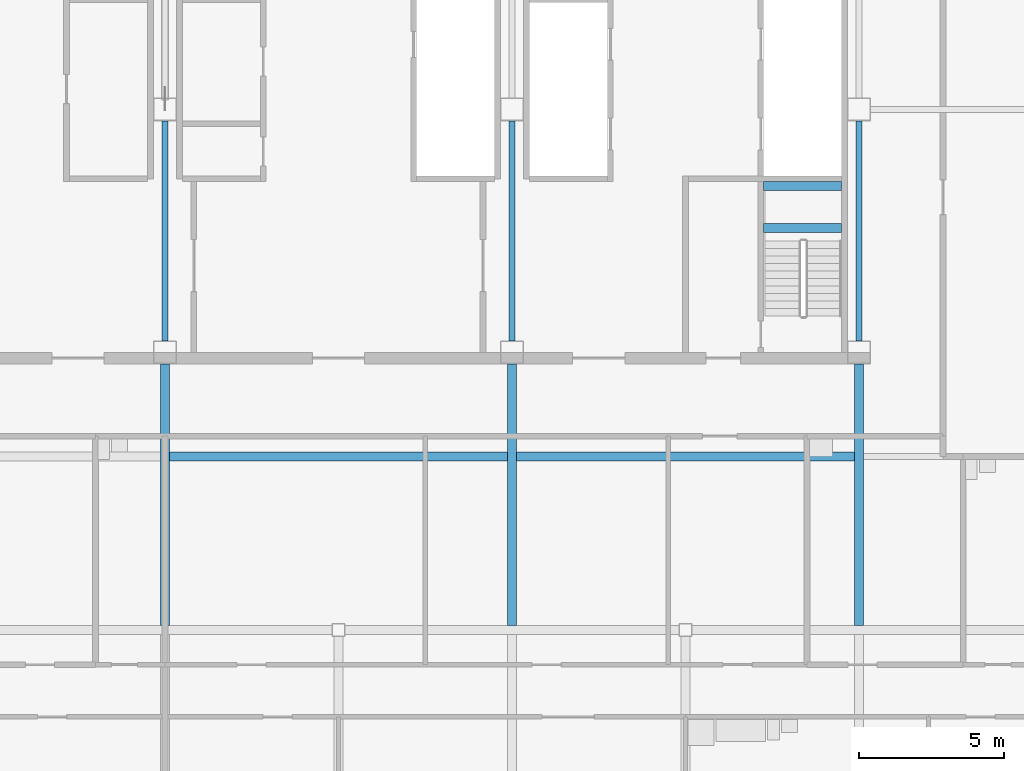
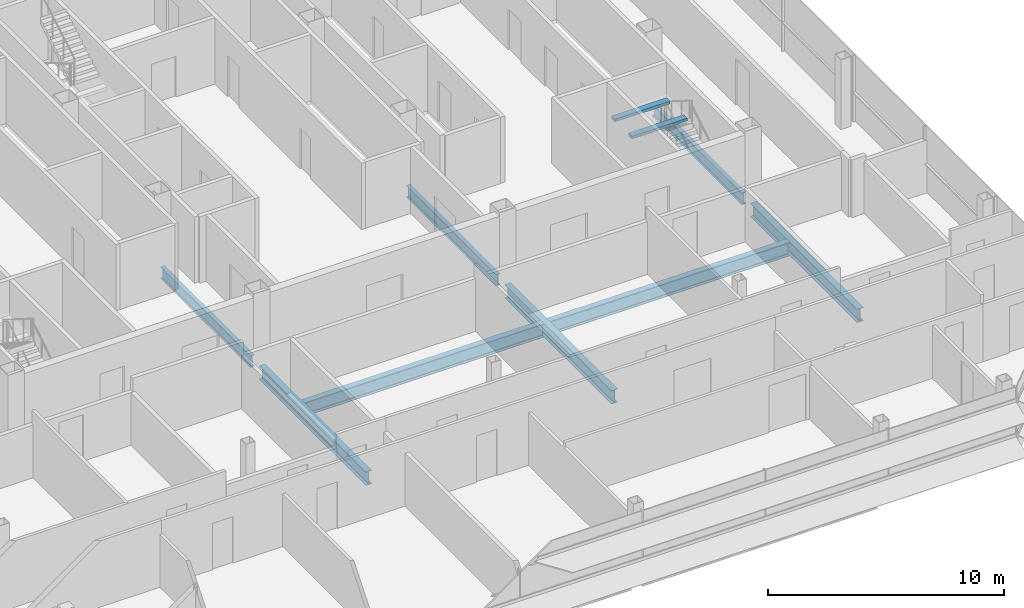
# One storey, part 12 of 27: 10 beams.
"""IFC4 building model written with IfcOpenShell, lengths in metres."""

import ifcopenshell
import ifcopenshell.guid

model = None  # the IFC model being written
_history = None  # IfcOwnerHistory: only IFC2X3 demands one
_inside = {}  # id of a spatial element -> (the spatial element, [elements in it])
_under = {}  # id of a project, library or spatial element -> (it, [spatial elements below it])
_declared = {}  # id of a project -> (the project, [libraries it declares])
_typed = {}  # id of a type object -> (the type object, [elements of that type])
_made_of = {}  # id of a material, layer set ... -> (it, [elements and type objects made of it])


def new_model(schema):
    """Start an empty IFC model of exactly this schema.

    Asked for "IFC4X3", IfcOpenShell would pick the latest addendum, in which some entities
    have other attributes; the version numbers below select the first issue.
    IFC2X3 requires an IfcOwnerHistory on every rooted entity: one is made here for all.
    """
    global model, _history
    if schema == "IFC4X3":
        model = ifcopenshell.file(schema_version=(4, 3, 0, 0))
    else:
        model = ifcopenshell.file(schema=schema)
    _inside.clear()
    _under.clear()
    _declared.clear()
    _typed.clear()
    _made_of.clear()
    _history = None
    if model.schema == "IFC2X3":
        org = make("IfcOrganization", Name="unknown")
        user = make(
            "IfcPersonAndOrganization",
            ThePerson=make("IfcPerson", FamilyName="unknown"),
            TheOrganization=org,
        )
        app = make(
            "IfcApplication",
            ApplicationDeveloper=org,
            Version="unknown",
            ApplicationFullName="unknown",
            ApplicationIdentifier="unknown",
        )
        _history = make(
            "IfcOwnerHistory",
            OwningUser=user,
            OwningApplication=app,
            ChangeAction="ADDED",
            CreationDate=0,
        )
    return model


def make(cls, **values):
    """One entity of the class cls with the attributes given. An attribute that is None is left unset."""
    return model.create_entity(
        cls, **{name: value for name, value in values.items() if value is not None}
    )


def rooted(cls, **values):
    """An entity with a GlobalId (a new one), such as an element, a storey or a relation."""
    return make(cls, GlobalId=ifcopenshell.guid.new(), OwnerHistory=_history, **values)


def si_unit(unit_type, name, prefix=None):
    """IfcSIUnit, for example si_unit("LENGTHUNIT", "METRE", prefix="MILLI")."""
    return make("IfcSIUnit", UnitType=unit_type, Prefix=prefix, Name=name)


def assignment(units):
    """IfcUnitAssignment: the units of a project."""
    return None if units is None else make("IfcUnitAssignment", Units=units)


def point(xyz):
    """IfcCartesianPoint."""
    return None if xyz is None else make("IfcCartesianPoint", Coordinates=xyz)


def direction(xyz):
    """IfcDirection."""
    return None if xyz is None else make("IfcDirection", DirectionRatios=xyz)


def frame(location, z_axis=None, x_axis=None):
    """IfcAxis2Placement3D, a coordinate frame: its origin and axes. An axis left out is left unset."""
    return make(
        "IfcAxis2Placement3D",
        Location=point(location),
        Axis=direction(z_axis),
        RefDirection=direction(x_axis),
    )


def frame_2d(location, x_axis=None):
    """IfcAxis2Placement2D, a coordinate frame in the plane: its origin and x axis."""
    return make(
        "IfcAxis2Placement2D", Location=point(location), RefDirection=direction(x_axis)
    )


def origin():
    """The frame at (0, 0, 0) with its axes left unset."""
    return frame((0.0, 0.0, 0.0))


def origin_2d():
    """The frame at (0, 0) in the plane with its x axis left unset."""
    return frame_2d((0.0, 0.0))


def place(relative_to, where):
    """IfcLocalPlacement: puts the frame where relative to a parent placement (None: the world)."""
    return make(
        "IfcLocalPlacement", PlacementRelTo=relative_to, RelativePlacement=where
    )


def context(
    kind, dimensions, precision=None, world=None, true_north=None, identifier=None
):
    """IfcGeometricRepresentationContext, for example the 3D "Model" context."""
    return make(
        "IfcGeometricRepresentationContext",
        ContextIdentifier=identifier,
        ContextType=kind,
        CoordinateSpaceDimension=dimensions,
        Precision=precision,
        WorldCoordinateSystem=world,
        TrueNorth=true_north,
    )


def subcontext(parent, identifier, kind, view, scale=None):
    """IfcGeometricRepresentationSubContext, for example "Body" below "Model"."""
    return make(
        "IfcGeometricRepresentationSubContext",
        ContextIdentifier=identifier,
        ContextType=kind,
        ParentContext=parent,
        TargetScale=scale,
        TargetView=view,
    )


def project(units=None, contexts=None):
    """IfcProject with its units and contexts."""
    return rooted(
        "IfcProject",
        Name="project",
        RepresentationContexts=contexts,
        UnitsInContext=assignment(units),
    )


def spatial(cls, under=None, at=None, **own):
    """A site, building, storey or space (cls), placed at a placement, below another one or the project."""
    s = rooted(cls, ObjectPlacement=at, **own)
    if under is not None:
        _under.setdefault(under.id(), (under, []))[1].append(s)
    return s


def profile(cls, at=None, kind="AREA", **sizes):
    """A parametric profile (cls). Its sizes go by their IFC names, for example OverallWidth=200.0."""
    return make(cls, ProfileType=kind, Position=at, **sizes)


def rectangle(**sizes):
    """IfcRectangleProfileDef."""
    return profile("IfcRectangleProfileDef", **sizes)


def i_section(**sizes):
    """IfcIShapeProfileDef."""
    return profile("IfcIShapeProfileDef", **sizes)


def extrude(swept, where, along, depth):
    """IfcExtrudedAreaSolid: the profile swept, set in the frame where, extruded along a direction by depth."""
    return make(
        "IfcExtrudedAreaSolid",
        SweptArea=swept,
        Position=where,
        ExtrudedDirection=direction(along),
        Depth=depth,
    )


def shape(context_of_items, identifier, shape_type, items):
    """IfcShapeRepresentation: the items that make up one representation, for example the "Body"."""
    return make(
        "IfcShapeRepresentation",
        ContextOfItems=context_of_items,
        RepresentationIdentifier=identifier,
        RepresentationType=shape_type,
        Items=items,
    )


def material(Name=None, Category=None):
    """IfcMaterial."""
    return make("IfcMaterial", Name=Name, Category=Category)


def material_profile(
    of_material, cross_section, Name=None, Category=None, Priority=None
):
    """IfcMaterialProfile: a cross section and its material."""
    return make(
        "IfcMaterialProfile",
        Name=Name,
        Material=of_material,
        Profile=cross_section,
        Priority=Priority,
        Category=Category,
    )


def profile_set(profiles, Name=None, composite=None):
    """IfcMaterialProfileSet."""
    return make(
        "IfcMaterialProfileSet",
        Name=Name,
        MaterialProfiles=profiles,
        CompositeProfile=composite,
    )


def made_of(thing, what):
    """Note that an element or type object is made of a material, layer set ...; save() writes the relation."""
    if what is not None:
        _made_of.setdefault(what.id(), (what, []))[1].append(thing)
    return thing


def type_object(cls, material=None, **own):
    """A type object (cls), such as IfcWallType, which elements share."""
    return made_of(rooted(cls, **own), material)


def element(
    cls,
    number,
    at=None,
    inside=None,
    cuts=None,
    type_object=None,
    material=None,
    context=None,
    identifier="Body",
    shape_type=None,
    held_by="IfcProductDefinitionShape",
    body=None,
    shapes=None,
    **own,
):
    """One element of the class cls, such as IfcWall. Its Tag is "e" and its number.

    at: its placement. inside: the storey or other place that contains it. cuts: it is an
    opening in that element (IfcRelVoidsElement). A single representation is given by context,
    identifier, shape_type and body (its items); several are given by shapes. held_by: the class
    of the entity that holds the representations. save() writes the other relations.
    """
    e = rooted(cls, Tag="e%d" % number, ObjectPlacement=at, **own)
    if body is not None:
        shapes = [shape(context, identifier, shape_type, body)]
    if shapes is not None:
        e.Representation = make(held_by, Representations=shapes)
    if inside is not None:
        _inside.setdefault(inside.id(), (inside, []))[1].append(e)
    if cuts is not None:
        rooted(
            "IfcRelVoidsElement", RelatingBuildingElement=cuts, RelatedOpeningElement=e
        )
    if type_object is not None:
        _typed.setdefault(type_object.id(), (type_object, []))[1].append(e)
    return made_of(e, material)


def aggregate(whole, parts):
    """IfcRelAggregates: a whole, such as a stair, and the parts it consists of."""
    return rooted("IfcRelAggregates", RelatingObject=whole, RelatedObjects=parts)


def save(model, path):
    """Write the relations noted so far, then the file.

    IfcRelAggregates (storeys below a building ...), IfcRelContainedInSpatialStructure (elements
    in a storey), IfcRelDefinesByType, IfcRelAssociatesMaterial and IfcRelDeclares: one each for
    every whole, place, type object, material and project.
    """
    for whole, parts in _under.values():
        aggregate(whole, parts)
    for where, things in _inside.values():
        rooted(
            "IfcRelContainedInSpatialStructure",
            RelatedElements=things,
            RelatingStructure=where,
        )
    for kind, things in _typed.values():
        rooted("IfcRelDefinesByType", RelatedObjects=things, RelatingType=kind)
    for what, things in _made_of.values():
        rooted("IfcRelAssociatesMaterial", RelatedObjects=things, RelatingMaterial=what)
    for by, libraries in _declared.values():
        rooted("IfcRelDeclares", RelatingContext=by, RelatedDefinitions=libraries)
    model.write(path)


model = new_model("IFC4")

# Units and contexts
model_context = context("Model", 3, precision=1e-05, world=origin(), true_north=direction((0.0, 1.0)))
body_context = subcontext(model_context, "Body", "Model", "MODEL_VIEW")
ifc_project = project(units=[si_unit("LENGTHUNIT", "METRE"), si_unit("AREAUNIT", "SQUARE_METRE"), si_unit("VOLUMEUNIT", "CUBIC_METRE"), si_unit("PLANEANGLEUNIT", "RADIAN"), si_unit("MASSUNIT", "GRAM", prefix="KILO")], contexts=[model_context])

# Site, building, storey
site_placement = place(None, origin())
site = spatial("IfcSite", under=ifc_project, at=site_placement, CompositionType="ELEMENT")
building_placement = place(site_placement, origin())
building = spatial("IfcBuilding", under=site, at=building_placement, Name="Sorahane Residences", CompositionType="ELEMENT")
storey_placement = place(building_placement, frame((0.0, 0.0, 312.39990234375)))
storey = spatial("IfcBuildingStorey", under=building, at=storey_placement, Name="L74", CompositionType="ELEMENT", Elevation=312.39990234375)

# Beams
ifc_material_1 = material(Name="Concrete C40", Category="concrete")
ifc_material_profile_1 = material_profile(ifc_material_1, rectangle(XDim=0.300048828125, YDim=0.139892578125, at=origin_2d()), Name="300x140")
ifc_profile_set_1 = profile_set([ifc_material_profile_1], Name="Concrete C40")
beam_type_1 = type_object("IfcBeamType", Name="RC landing beam 300 x 140 Concrete C40", PredefinedType="BEAM", material=ifc_profile_set_1)
for number, where, z_axis, x_axis, name in (
    (1, (38.699951171875, 25.89990234375, 1.530029296875), (1.0, 0.0, 0.0), (0.0, 1.0, 0.0), "Landing beam"),
    (2, (38.699951171875, 27.35009765625, 1.530029296875), (1.0, 0.0, 0.0), (0.0, 1.0, 0.0), "Landing beam"),
):
    element("IfcBeam", number, at=place(storey_placement, frame(where, z_axis=z_axis, x_axis=x_axis)), inside=storey, type_object=beam_type_1, Name=name, PredefinedType="BEAM", context=body_context, shape_type="SweptSolid", body=[
        extrude(rectangle(XDim=0.300048828125, YDim=0.139892578125, at=origin_2d()), origin(), (0.0, 0.0, 1.0), 2.699951171875),
    ])
ifc_material_2 = material(Name="Steel Q355B", Category="steel")
ifc_material_profile_2 = material_profile(ifc_material_2, i_section(OverallWidth=0.199951171875, OverallDepth=0.60009765625, WebThickness=0.010986328125, FlangeThickness=0.01708984375, FilletRadius=0.02392578125, at=origin_2d()), Name="HN 600x200x11x17")
ifc_profile_set_2 = profile_set([ifc_material_profile_2], Name="Steel Q355B")
beam_type_2 = type_object("IfcBeamType", Name="Steel floor beam HN 600x200x11x17 Q355B", PredefinedType="BEAM", material=ifc_profile_set_2)
for number, where, z_axis, x_axis, name in (
    (3, (18.0, 22.0, -0.47998046875), (0.0, 1.0, 0.0), (-1.0, 0.0, 0.0), "Beam L74 042"),
    (4, (30.0, 22.0, -0.47998046875), (0.0, 1.0, 0.0), (-1.0, 0.0, 0.0), "Beam L74 050"),
    (5, (42.0, 22.0, -0.47998046875), (0.0, 1.0, 0.0), (-1.0, 0.0, 0.0), "Beam L74 058"),
):
    element("IfcBeam", number, at=place(storey_placement, frame(where, z_axis=z_axis, x_axis=x_axis)), inside=storey, type_object=beam_type_2, Name=name, PredefinedType="BEAM", context=body_context, shape_type="SweptSolid", body=[
        extrude(i_section(OverallWidth=0.199951171875, OverallDepth=0.60009765625, WebThickness=0.010986328125, FlangeThickness=0.01708984375, FilletRadius=0.02392578125, at=origin_2d()), origin(), (0.0, 0.0, 1.0), 7.60009765625),
    ])
ifc_material_3 = material(Name="Steel Q355B", Category="steel")
ifc_material_profile_3 = material_profile(ifc_material_3, i_section(OverallWidth=0.300048828125, OverallDepth=0.699951171875, WebThickness=0.012939453125, FlangeThickness=0.02392578125, FilletRadius=0.028076171875, at=origin_2d()), Name="HN 700x300x13x24")
ifc_profile_set_3 = profile_set([ifc_material_profile_3], Name="Steel Q355B")
beam_type_3 = type_object("IfcBeamType", Name="Steel floor beam HN 700x300x13x24 Q355B", PredefinedType="BEAM", material=ifc_profile_set_3)
for number, where, z_axis, x_axis, name in (
    (6, (18.0, 12.14990234375, -0.52978515625), (0.0, 1.0, 0.0), (-1.0, 0.0, 0.0), "Beam L74 041"),
    (7, (30.0, 12.14990234375, -0.52978515625), (0.0, 1.0, 0.0), (-1.0, 0.0, 0.0), "Beam L74 049"),
    (8, (42.0, 12.14990234375, -0.52978515625), (0.0, 1.0, 0.0), (-1.0, 0.0, 0.0), "Beam L74 057"),
):
    element("IfcBeam", number, at=place(storey_placement, frame(where, z_axis=z_axis, x_axis=x_axis)), inside=storey, type_object=beam_type_3, Name=name, PredefinedType="BEAM", context=body_context, shape_type="SweptSolid", body=[
        extrude(i_section(OverallWidth=0.300048828125, OverallDepth=0.699951171875, WebThickness=0.012939453125, FlangeThickness=0.02392578125, FilletRadius=0.028076171875, at=origin_2d()), origin(), (0.0, 0.0, 1.0), 9.050048828125),
    ])
for number, where, z_axis, x_axis, name in (
    (9, (18.14990234375, 18.0, -0.52978515625), (1.0, 0.0, 0.0), (0.0, 1.0, 0.0), "Beam L74 080"),
    (10, (30.14990234375, 18.0, -0.52978515625), (1.0, 0.0, 0.0), (0.0, 1.0, 0.0), "Beam L74 081"),
):
    element("IfcBeam", number, at=place(storey_placement, frame(where, z_axis=z_axis, x_axis=x_axis)), inside=storey, type_object=beam_type_3, Name=name, PredefinedType="BEAM", context=body_context, shape_type="SweptSolid", body=[
        extrude(i_section(OverallWidth=0.300048828125, OverallDepth=0.699951171875, WebThickness=0.012939453125, FlangeThickness=0.02392578125, FilletRadius=0.028076171875, at=origin_2d()), origin(), (0.0, 0.0, 1.0), 11.7001953125),
    ])

save(model, "model.ifc")
